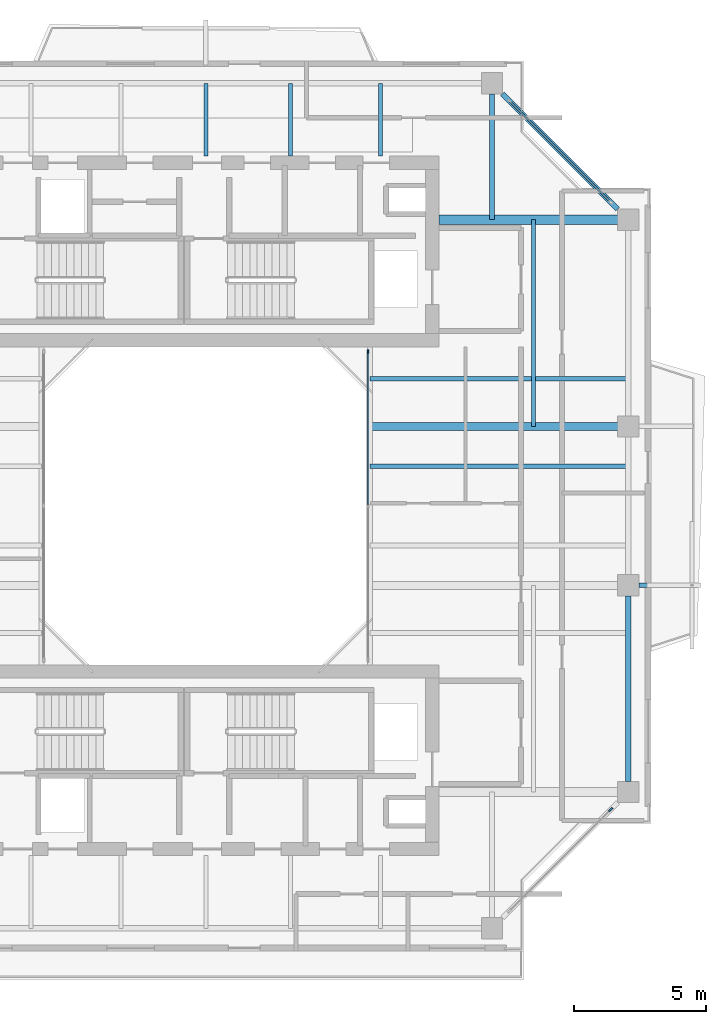
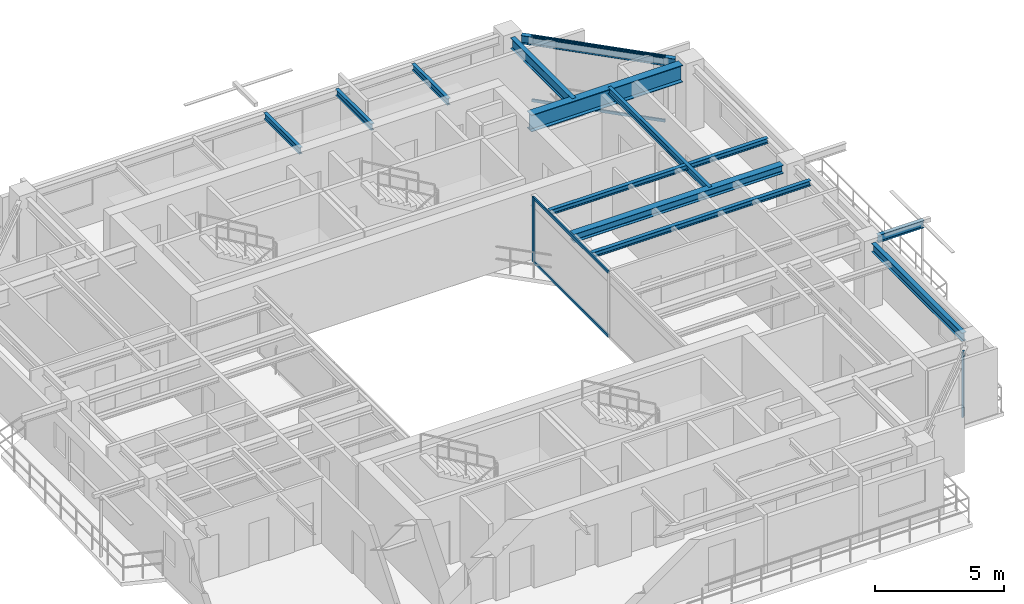
# One storey, part 6 of 16: 12 beams, 6 members, 3 elements without a shape of their own.
"""IFC4 building model written with IfcOpenShell, lengths in metres."""

from ifc_helpers import new_model, si_unit, direction, frame, origin, origin_2d, place, context, subcontext, project, spatial, rectangle, i_section, extrude, source, transform, mapped, material, layer, layer_set, material_profile, profile_set, type_object, element, aggregate, save


model = new_model("IFC4")

# Units and contexts
model_context = context("Model", 3, precision=1e-05, world=origin(), true_north=direction((0.0, 1.0)))
body_context = subcontext(model_context, "Body", "Model", "MODEL_VIEW")
ifc_project = project(units=[si_unit("LENGTHUNIT", "METRE"), si_unit("AREAUNIT", "SQUARE_METRE"), si_unit("VOLUMEUNIT", "CUBIC_METRE"), si_unit("PLANEANGLEUNIT", "RADIAN"), si_unit("MASSUNIT", "GRAM", prefix="KILO"), si_unit("THERMODYNAMICTEMPERATUREUNIT", "KELVIN"), si_unit("POWERUNIT", "WATT")], contexts=[model_context])

# Site, building, storey
site_placement = place(None, origin())
site = spatial("IfcSite", under=ifc_project, at=site_placement, CompositionType="ELEMENT")
building_placement = place(site_placement, origin())
building = spatial("IfcBuilding", under=site, at=building_placement, Name="Qiaomeng Ring Towers", CompositionType="ELEMENT")
storey_placement = place(building_placement, frame((0.0, 0.0, 190.5)))
storey = spatial("IfcBuildingStorey", under=building, at=storey_placement, Name="L55", CompositionType="ELEMENT", Elevation=190.5)

# Beams
ifc_material_1 = material(Name="Steel Q355B", Category="steel")
ifc_material_profile_1 = material_profile(ifc_material_1, i_section(OverallWidth=0.198974609375, OverallDepth=0.39599609375, WebThickness=0.007080078125, FlangeThickness=0.010986328125, FilletRadius=0.01611328125, at=origin_2d()), Name="HN 396x199x7x11")
ifc_profile_set_1 = profile_set([ifc_material_profile_1], Name="Steel Q355B")
beam_type_1 = type_object("IfcBeamType", Name="STR-BM-HN396", PredefinedType="SPANDREL", material=ifc_profile_set_1)
shared_shape_1 = source(origin(), body_context, "Body", "SweptSolid", [
    extrude(i_section(OverallWidth=0.198974609375, OverallDepth=0.39599609375, WebThickness=0.007080078125, FlangeThickness=0.010986328125, FilletRadius=0.01611328125, at=origin_2d()), origin(), (0.0, 0.0, 1.0), 6.154052734375),
])
beam_1_placement = place(storey_placement, frame((34.55078125, 34.19921875, 2.8720703125), z_axis=(-0.707106781187, 0.707106781187, 0.0), x_axis=(-0.707106781187, -0.707106781187, 0.0)))
element("IfcBeam", 1, at=beam_1_placement, inside=storey, type_object=beam_type_1, Name="L55 beam STR-SP-L55-T1-E4-N2", PredefinedType="SPANDREL", context=body_context, shape_type="MappedRepresentation", body=[
    mapped(shared_shape_1, transform((0.0, 0.0, 0.0), x_axis=(1.0, 0.0, 0.0), y_axis=(0.0, 1.0, 0.0), z_axis=(0.0, 0.0, 1.0), scale=1.0)),
])
shared_shape_2 = source(origin(), body_context, "Body", "SweptSolid", [
    extrude(i_section(OverallWidth=0.198974609375, OverallDepth=0.39599609375, WebThickness=0.007080078125, FlangeThickness=0.010986328125, FilletRadius=0.01611328125, at=origin_2d()), origin(), (0.0, 0.0, 1.0), 7.001953125),
])
beam_2_placement = place(storey_placement, frame((34.949951171875, 12.59912109375, 2.8720703125), z_axis=(0.0, 1.0, 0.0), x_axis=(-1.0, 0.0, 0.0)))
element("IfcBeam", 2, at=beam_2_placement, inside=storey, type_object=beam_type_1, Name="L55 beam STR-SP-L55-T1-E1-E2", PredefinedType="SPANDREL", context=body_context, shape_type="MappedRepresentation", body=[
    mapped(shared_shape_2, transform((0.0, 0.0, 0.0), x_axis=(1.0, 0.0, 0.0), y_axis=(0.0, 1.0, 0.0), z_axis=(0.0, 0.0, 1.0), scale=1.0)),
])
ifc_material_2 = material(Name="Steel Q390GJC", Category="steel")
ifc_material_profile_2 = material_profile(ifc_material_2, i_section(OverallWidth=0.35009765625, OverallDepth=0.800048828125, WebThickness=0.01611328125, FlangeThickness=0.028076171875, at=origin_2d()), Name="WH 800x350x16x28")
ifc_profile_set_2 = profile_set([ifc_material_profile_2], Name="Steel Q390GJC")
beam_type_2 = type_object("IfcBeamType", Name="STR-BM-WH800", PredefinedType="BEAM", material=ifc_profile_set_2)
shared_shape_3 = source(origin(), body_context, "Body", "SweptSolid", [
    extrude(i_section(OverallWidth=0.35009765625, OverallDepth=0.800048828125, WebThickness=0.01611328125, FlangeThickness=0.028076171875, at=origin_2d()), origin(), (0.0, 0.0, 1.0), 6.7509765625),
])
beam_3_placement = place(storey_placement, frame((27.800048828125, 33.800048828125, 2.669921875), z_axis=(1.0, 0.0, 0.0), x_axis=(0.0, 1.0, 0.0)))
element("IfcBeam", 3, at=beam_3_placement, inside=storey, type_object=beam_type_2, Name="L55 beam STR-BM-L55-T1-RAD-E4", PredefinedType="BEAM", context=body_context, shape_type="MappedRepresentation", body=[
    mapped(shared_shape_3, transform((0.0, 0.0, 0.0), x_axis=(1.0, 0.0, 0.0), y_axis=(0.0, 1.0, 0.0), z_axis=(0.0, 0.0, 1.0), scale=1.0)),
])
ifc_material_profile_3 = material_profile(ifc_material_1, i_section(OverallWidth=0.199951171875, OverallDepth=0.5, WebThickness=0.010009765625, FlangeThickness=0.01611328125, FilletRadius=0.02001953125, at=origin_2d()), Name="HN 500x200x10x16")
ifc_profile_set_3 = profile_set([ifc_material_profile_3], Name="Steel Q355B")
beam_type_3 = type_object("IfcBeamType", Name="STR-BM-HN500", PredefinedType="BEAM", material=ifc_profile_set_3)
shared_shape_4 = source(origin(), body_context, "Body", "SweptSolid", [
    extrude(i_section(OverallWidth=0.199951171875, OverallDepth=0.5, WebThickness=0.010009765625, FlangeThickness=0.01611328125, FilletRadius=0.02001953125, at=origin_2d()), origin(), (0.0, 0.0, 1.0), 4.7509765625),
])
beam_4_placement = place(storey_placement, frame((29.800048828125, 38.551025390625, 2.820068359375), z_axis=(0.0, -1.0, 0.0), x_axis=(1.0, 0.0, 0.0)))
element("IfcBeam", 4, at=beam_4_placement, inside=storey, type_object=beam_type_3, Name="L55 beam STR-BM-L55-T1-RAD-N2", PredefinedType="BEAM", context=body_context, shape_type="MappedRepresentation", body=[
    mapped(shared_shape_4, transform((0.0, 0.0, 0.0), x_axis=(1.0, 0.0, 0.0), y_axis=(0.0, 1.0, 0.0), z_axis=(0.0, 0.0, 1.0), scale=1.0)),
])
ifc_material_profile_4 = material_profile(ifc_material_1, i_section(OverallWidth=0.300048828125, OverallDepth=0.389892578125, WebThickness=0.010009765625, FlangeThickness=0.01611328125, FilletRadius=0.02197265625, at=origin_2d()), Name="HM 390x300x10x16")
ifc_profile_set_4 = profile_set([ifc_material_profile_4], Name="Steel Q355B")
beam_type_4 = type_object("IfcBeamType", Name="STR-BM-HM390", PredefinedType="BEAM", material=ifc_profile_set_4)
shared_shape_5 = source(origin(), body_context, "Body", "SweptSolid", [
    extrude(i_section(OverallWidth=0.300048828125, OverallDepth=0.389892578125, WebThickness=0.010009765625, FlangeThickness=0.01611328125, FilletRadius=0.02197265625, at=origin_2d()), origin(), (0.0, 0.0, 1.0), 9.35107421875),
])
beam_5_placement = place(storey_placement, frame((25.199951171875, 26.0, 2.875), z_axis=(1.0, 0.0, 0.0), x_axis=(0.0, 1.0, 0.0)))
element("IfcBeam", 5, at=beam_5_placement, inside=storey, type_object=beam_type_4, Name="L55 beam STR-BM-L55-T1-RAD-E3", PredefinedType="BEAM", context=body_context, shape_type="MappedRepresentation", body=[
    mapped(shared_shape_5, transform((0.0, 0.0, 0.0), x_axis=(1.0, 0.0, 0.0), y_axis=(0.0, 1.0, 0.0), z_axis=(0.0, 0.0, 1.0), scale=1.0)),
])
ifc_material_profile_5 = material_profile(ifc_material_1, i_section(OverallWidth=0.14990234375, OverallDepth=0.300048828125, WebThickness=0.006591796875, FlangeThickness=0.009033203125, FilletRadius=0.012939453125, at=origin_2d()), Name="HN 300x150x6.5x9")
ifc_profile_set_5 = profile_set([ifc_material_profile_5], Name="Steel Q355B")
beam_type_5 = type_object("IfcBeamType", Name="STR-BM-HN300", PredefinedType="JOIST", material=ifc_profile_set_5)
shared_shape_6 = source(origin(), body_context, "Body", "SweptSolid", [
    extrude(i_section(OverallWidth=0.14990234375, OverallDepth=0.300048828125, WebThickness=0.006591796875, FlangeThickness=0.009033203125, FilletRadius=0.012939453125, at=origin_2d()), origin(), (0.0, 0.0, 1.0), 2.75),
])
for number, where, z_axis, x_axis, name in (
    (6, (19.0, 36.199951171875, 2.919921875), (0.0, 1.0, 0.0), (-1.0, 0.0, 0.0), "L55 beam STR-JST-L55-T1N-3"),
    (7, (22.199951171875, 36.199951171875, 2.919921875), (0.0, 1.0, 0.0), (-1.0, 0.0, 0.0), "L55 beam STR-JST-L55-T1N-4"),
    (8, (25.60009765625, 36.199951171875, 2.919921875), (0.0, 1.0, 0.0), (-1.0, 0.0, 0.0), "L55 beam STR-JST-L55-T1N-5"),
):
    element("IfcBeam", number, at=place(storey_placement, frame(where, z_axis=z_axis, x_axis=x_axis)), inside=storey, type_object=beam_type_5, Name=name, PredefinedType="JOIST", context=body_context, shape_type="MappedRepresentation", body=[
        mapped(shared_shape_6, transform((0.0, 0.0, 0.0), x_axis=(1.0, 0.0, 0.0), y_axis=(0.0, 1.0, 0.0), z_axis=(0.0, 0.0, 1.0), scale=1.0)),
    ])
ifc_material_profile_6 = material_profile(ifc_material_1, i_section(OverallWidth=0.175048828125, OverallDepth=0.243896484375, WebThickness=0.007080078125, FlangeThickness=0.010986328125, FilletRadius=0.01611328125, at=origin_2d()), Name="HM 244x175x7x11")
ifc_profile_set_6 = profile_set([ifc_material_profile_6], Name="Steel Q355B")
beam_type_6 = type_object("IfcBeamType", Name="STR-BM-HM244", PredefinedType="JOIST", material=ifc_profile_set_6)
shared_shape_7 = source(origin(), body_context, "Body", "SweptSolid", [
    extrude(i_section(OverallWidth=0.175048828125, OverallDepth=0.243896484375, WebThickness=0.007080078125, FlangeThickness=0.010986328125, FilletRadius=0.01611328125, at=origin_2d()), origin(), (0.0, 0.0, 1.0), 9.75),
])
for number, where, z_axis, x_axis, name in (
    (9, (25.199951171875, 24.5, 2.947998046875), (1.0, 0.0, 0.0), (0.0, 1.0, 0.0), "L55 beam STR-JST-L55-T1E-3"),
    (10, (25.199951171875, 27.800048828125, 2.947998046875), (1.0, 0.0, 0.0), (0.0, 1.0, 0.0), "L55 beam STR-JST-L55-T1E-4"),
):
    element("IfcBeam", number, at=place(storey_placement, frame(where, z_axis=z_axis, x_axis=x_axis)), inside=storey, type_object=beam_type_6, Name=name, PredefinedType="JOIST", context=body_context, shape_type="MappedRepresentation", body=[
        mapped(shared_shape_7, transform((0.0, 0.0, 0.0), x_axis=(1.0, 0.0, 0.0), y_axis=(0.0, 1.0, 0.0), z_axis=(0.0, 0.0, 1.0), scale=1.0)),
    ])
shared_shape_8 = source(origin(), body_context, "Body", "SweptSolid", [
    extrude(i_section(OverallWidth=0.14990234375, OverallDepth=0.300048828125, WebThickness=0.006591796875, FlangeThickness=0.009033203125, FilletRadius=0.012939453125, at=origin_2d()), origin(), (0.0, 0.0, 1.0), 7.800048828125),
])
beam_6_placement = place(storey_placement, frame((31.375, 26.0, 2.919921875), z_axis=(0.0, 1.0, 0.0), x_axis=(-1.0, 0.0, 0.0)))
element("IfcBeam", 11, at=beam_6_placement, inside=storey, type_object=beam_type_5, Name="L55 beam STR-JST-L55-T1C-EN", PredefinedType="JOIST", context=body_context, shape_type="MappedRepresentation", body=[
    mapped(shared_shape_8, transform((0.0, 0.0, 0.0), x_axis=(1.0, 0.0, 0.0), y_axis=(0.0, 1.0, 0.0), z_axis=(0.0, 0.0, 1.0), scale=1.0)),
])
ifc_material_profile_7 = material_profile(ifc_material_1, i_section(OverallWidth=0.175048828125, OverallDepth=0.35009765625, WebThickness=0.007080078125, FlangeThickness=0.010986328125, FilletRadius=0.013916015625, at=origin_2d()), Name="HN 350x175x7x11")
ifc_profile_set_7 = profile_set([ifc_material_profile_7], Name="Steel Q355B")
beam_type_7 = type_object("IfcBeamType", Name="STR-BM-HN350", PredefinedType="JOIST", material=ifc_profile_set_7)
shared_shape_9 = source(origin(), body_context, "Body", "SweptSolid", [
    extrude(i_section(OverallWidth=0.175048828125, OverallDepth=0.35009765625, WebThickness=0.007080078125, FlangeThickness=0.010986328125, FilletRadius=0.013916015625, at=origin_2d()), origin(), (0.0, 0.0, 1.0), 2.05078125),
])
beam_7_placement = place(storey_placement, frame((35.34912109375, 20.0, 2.89501953125), z_axis=(1.0, 0.0, 0.0), x_axis=(0.0, 1.0, 0.0)))
element("IfcBeam", 12, at=beam_7_placement, inside=storey, type_object=beam_type_7, Name="L55 beam STR-BALBM-L55-E2", PredefinedType="JOIST", context=body_context, shape_type="MappedRepresentation", body=[
    mapped(shared_shape_9, transform((0.0, 0.0, 0.0), x_axis=(1.0, 0.0, 0.0), y_axis=(0.0, 1.0, 0.0), z_axis=(0.0, 0.0, 1.0), scale=1.0)),
])

# Curtain wall, members
ifc_material_3 = material(Name="Fluorocarbon dark-grey aluminium", Category="aluminium")
ifc_layer_1 = layer(ifc_material_3, 0.139892578125, Name="Fluorocarbon dark-grey aluminium")
ifc_layer_set_1 = layer_set([ifc_layer_1], Name="Fluorocarbon dark-grey aluminium")
curtain_wall_type_1 = type_object("IfcCurtainWallType", Name="ARC-CW-4", PredefinedType="NOTDEFINED", material=ifc_layer_set_1)
curtain_wall_1_placement = place(storey_placement, origin())
curtain_wall_1 = element("IfcCurtainWall", 13, at=curtain_wall_1_placement, inside=storey, type_object=curtain_wall_type_1, Name="L55 Curtain Wall CW4", PredefinedType="NOTDEFINED")
ifc_material_profile_8 = material_profile(ifc_material_3, rectangle(XDim=0.06494140625, YDim=0.159912109375, at=origin_2d()), Name="ALU MULL 65x160")
ifc_profile_set_8 = profile_set([ifc_material_profile_8], Name="Fluorocarbon dark-grey aluminium")
member_type_1 = type_object("IfcMemberType", Name="ARC-CWM-140", PredefinedType="MULLION", material=ifc_profile_set_8)
shared_shape_10 = source(origin(), body_context, "Body", "SweptSolid", [
    extrude(rectangle(XDim=0.06494140625, YDim=0.159912109375, at=origin_2d()), origin(), (0.0, 0.0, 1.0), 3.070068359375),
])
member_1_placement = place(storey_placement, frame((25.1201171875, 28.8173828125, 0.0), z_axis=(0.0, 0.0, 1.0), x_axis=(-1.0, 0.0, 0.0)))
member_1 = element("IfcMember", 14, at=member_1_placement, type_object=member_type_1, Name="CW4 mullion 3", PredefinedType="MULLION", context=body_context, shape_type="MappedRepresentation", body=[
    mapped(shared_shape_10, transform((0.0, 0.0, 0.0), x_axis=(1.0, 0.0, 0.0), y_axis=(0.0, 1.0, 0.0), z_axis=(0.0, 0.0, 1.0), scale=1.0)),
])
ifc_material_profile_9 = material_profile(ifc_material_3, rectangle(XDim=0.06494140625, YDim=0.1298828125, at=origin_2d()), Name="ALU TRAN 65x130")
ifc_profile_set_9 = profile_set([ifc_material_profile_9], Name="Fluorocarbon dark-grey aluminium")
member_type_2 = type_object("IfcMemberType", Name="ARC-CWT-120", PredefinedType="USERDEFINED", material=ifc_profile_set_9)
shared_shape_11 = source(origin(), body_context, "Body", "SweptSolid", [
    extrude(rectangle(XDim=0.06494140625, YDim=0.1298828125, at=origin_2d()), origin(), (0.0, 0.0, 1.0), 5.75244140625),
])
member_2_placement = place(storey_placement, frame((25.1201171875, 23.032470703125, 0.032470703125), z_axis=(0.0, 1.0, 0.0), x_axis=(-1.0, 0.0, 0.0)))
member_2 = element("IfcMember", 15, at=member_2_placement, type_object=member_type_2, Name="CW4 transom 2.1", ObjectType="TRANSOM", PredefinedType="USERDEFINED", context=body_context, shape_type="MappedRepresentation", body=[
    mapped(shared_shape_11, transform((0.0, 0.0, 0.0), x_axis=(1.0, 0.0, 0.0), y_axis=(0.0, 1.0, 0.0), z_axis=(0.0, 0.0, 1.0), scale=1.0)),
])
member_3_placement = place(storey_placement, frame((25.1201171875, 23.032470703125, 3.03759765625), z_axis=(0.0, 1.0, 0.0), x_axis=(-1.0, 0.0, 0.0)))
member_3 = element("IfcMember", 16, at=member_3_placement, type_object=member_type_2, Name="CW4 transom 2.2", ObjectType="TRANSOM", PredefinedType="USERDEFINED", context=body_context, shape_type="MappedRepresentation", body=[
    mapped(shared_shape_11, transform((0.0, 0.0, 0.0), x_axis=(1.0, 0.0, 0.0), y_axis=(0.0, 1.0, 0.0), z_axis=(0.0, 0.0, 1.0), scale=1.0)),
])
aggregate(curtain_wall_1, [member_1, member_2, member_3])

# Curtain wall, member
ifc_layer_2 = layer(ifc_material_3, 0.14990234375, Name="Fluorocarbon dark-grey aluminium")
ifc_layer_set_2 = layer_set([ifc_layer_2], Name="Fluorocarbon dark-grey aluminium")
curtain_wall_type_2 = type_object("IfcCurtainWallType", Name="ARC-CW-3", PredefinedType="NOTDEFINED", material=ifc_layer_set_2)
curtain_wall_2_placement = place(storey_placement, origin())
curtain_wall_2 = element("IfcCurtainWall", 17, at=curtain_wall_2_placement, inside=storey, type_object=curtain_wall_type_2, Name="L55 Curtain Wall CW3", PredefinedType="NOTDEFINED")
ifc_material_profile_10 = material_profile(ifc_material_3, rectangle(XDim=0.070068359375, YDim=0.179931640625, at=origin_2d()), Name="ALU MULL 70x180")
ifc_profile_set_10 = profile_set([ifc_material_profile_10], Name="Fluorocarbon dark-grey aluminium")
member_type_3 = type_object("IfcMemberType", Name="ARC-CWM-160", PredefinedType="MULLION", material=ifc_profile_set_10)
shared_shape_12 = source(origin(), body_context, "Body", "SweptSolid", [
    extrude(rectangle(XDim=0.070068359375, YDim=0.179931640625, at=origin_2d()), origin(), (0.0, 0.0, 1.0), 3.070068359375),
])
member_4_placement = place(storey_placement, frame((34.28515625, 11.53515625, 0.0), z_axis=(0.0, 0.0, 1.0), x_axis=(-0.707106781187, 0.707106781187, 0.0)))
member_4 = element("IfcMember", 18, at=member_4_placement, type_object=member_type_3, Name="CW3 mullion 2", PredefinedType="MULLION", context=body_context, shape_type="MappedRepresentation", body=[
    mapped(shared_shape_12, transform((0.0, 0.0, 0.0), x_axis=(1.0, 0.0, 0.0), y_axis=(0.0, 1.0, 0.0), z_axis=(0.0, 0.0, 1.0), scale=1.0)),
])
aggregate(curtain_wall_2, [member_4])

# Curtain wall, members
curtain_wall_3_placement = place(storey_placement, origin())
curtain_wall_3 = element("IfcCurtainWall", 19, at=curtain_wall_3_placement, inside=storey, type_object=curtain_wall_type_2, Name="L55 Curtain Wall CW3", PredefinedType="NOTDEFINED")
shared_shape_13 = source(origin(), body_context, "Body", "SweptSolid", [
    extrude(rectangle(XDim=0.06494140625, YDim=0.1298828125, at=origin_2d()), origin(), (0.0, 0.0, 1.0), 5.3330078125),
])
member_5_placement = place(storey_placement, frame((34.260498046875, 34.489501953125, 0.032470703125), z_axis=(-0.707106781187, 0.707106781187, 0.0), x_axis=(-0.707106781187, -0.707106781187, 0.0)))
member_5 = element("IfcMember", 20, at=member_5_placement, type_object=member_type_2, Name="CW3 transom 1.1", ObjectType="TRANSOM", PredefinedType="USERDEFINED", context=body_context, shape_type="MappedRepresentation", body=[
    mapped(shared_shape_13, transform((0.0, 0.0, 0.0), x_axis=(1.0, 0.0, 0.0), y_axis=(0.0, 1.0, 0.0), z_axis=(0.0, 0.0, 1.0), scale=1.0)),
])
member_6_placement = place(storey_placement, frame((34.260498046875, 34.489501953125, 3.03759765625), z_axis=(-0.707106781187, 0.707106781187, 0.0), x_axis=(-0.707106781187, -0.707106781187, 0.0)))
member_6 = element("IfcMember", 21, at=member_6_placement, type_object=member_type_2, Name="CW3 transom 1.2", ObjectType="TRANSOM", PredefinedType="USERDEFINED", context=body_context, shape_type="MappedRepresentation", body=[
    mapped(shared_shape_13, transform((0.0, 0.0, 0.0), x_axis=(1.0, 0.0, 0.0), y_axis=(0.0, 1.0, 0.0), z_axis=(0.0, 0.0, 1.0), scale=1.0)),
])
aggregate(curtain_wall_3, [member_5, member_6])

save(model, "model.ifc")
